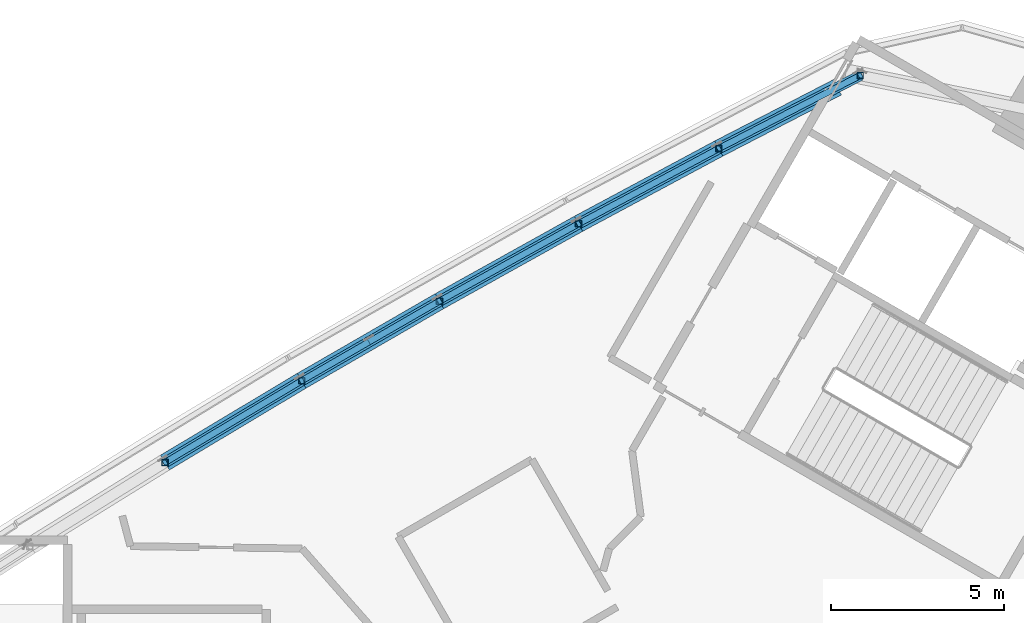
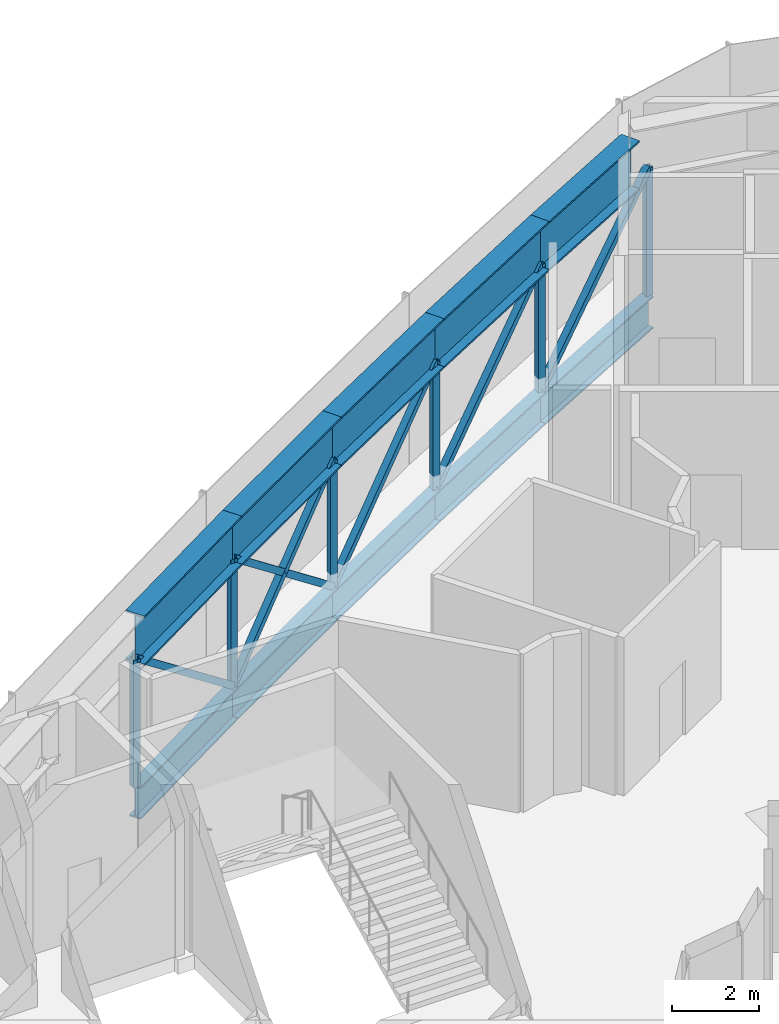
# One storey, part 7 of 21: 13 members, 10 beams.
"""IFC4 building model written with IfcOpenShell, lengths in metres."""

from ifc_helpers import new_model, si_unit, direction, frame, origin, origin_2d, place, context, subcontext, project, spatial, hollow_rectangle, i_section, extrude, material, material_profile, profile_set, type_object, element, save


model = new_model("IFC4")

# Units and contexts
model_context = context("Model", 3, precision=1e-05, world=origin(), true_north=direction((0.0, 1.0)))
body_context = subcontext(model_context, "Body", "Model", "MODEL_VIEW")
ifc_project = project(units=[si_unit("LENGTHUNIT", "METRE"), si_unit("AREAUNIT", "SQUARE_METRE"), si_unit("VOLUMEUNIT", "CUBIC_METRE"), si_unit("PLANEANGLEUNIT", "RADIAN"), si_unit("MASSUNIT", "GRAM", prefix="KILO")], contexts=[model_context])

# Site, building, storey
site_placement = place(None, origin())
site = spatial("IfcSite", under=ifc_project, at=site_placement, CompositionType="ELEMENT")
building_placement = place(site_placement, origin())
building = spatial("IfcBuilding", under=site, at=building_placement, Name="Tamra Quay Hotel Tower", CompositionType="ELEMENT")
storey_placement = place(building_placement, frame((0.0, 0.0, 301.800048828125)))
storey = spatial("IfcBuildingStorey", under=building, at=storey_placement, Name="L76", CompositionType="ELEMENT", Elevation=301.800048828125)

# Members
ifc_material = material(Name="Structural steel IS 2062 E350", Category="steel")
ifc_material_profile_1 = material_profile(ifc_material, hollow_rectangle(XDim=0.179931640625, YDim=0.179931640625, WallThickness=0.008056640625, at=origin_2d()), Name="SHS 180x180x8")
ifc_profile_set_1 = profile_set([ifc_material_profile_1], Name="Structural steel IS 2062 E350")
member_type = type_object("IfcMemberType", Name="BELT BRACE SHS 180x180x8 Z6", PredefinedType="BRACE", material=ifc_profile_set_1)
member_1_placement = place(storey_placement, frame((6.3564453125, 21.22412109375, -0.400146484375), z_axis=(0.0, 0.0, 1.0), x_axis=(1.0, 0.0, 0.0)))
element("IfcMember", 1, at=member_1_placement, inside=storey, type_object=member_type, Name="BR-L76-016", PredefinedType="BRACE", context=body_context, shape_type="SweptSolid", body=[
    extrude(hollow_rectangle(XDim=0.179931640625, YDim=0.179931640625, WallThickness=0.008056640625, at=origin_2d()), origin(), (0.0, 0.0, 1.0), 3.60009765625),
])
member_2_placement = place(storey_placement, frame((2.26318359375, 19.110107421875, -0.400146484375), z_axis=(0.70009115396, 0.361570398553, 0.615742822157), x_axis=(-0.458876435306, 0.888500094046, 0.0)))
element("IfcMember", 2, at=member_2_placement, inside=storey, type_object=member_type, Name="BR-L76-017", PredefinedType="BRACE", context=body_context, shape_type="SweptSolid", body=[
    extrude(hollow_rectangle(XDim=0.179931640625, YDim=0.179931640625, WallThickness=0.008056640625, at=origin_2d()), origin(), (0.0, 0.0, 1.0), 5.8466796875),
])
member_3_placement = place(storey_placement, frame((2.26318359375, 19.110107421875, -0.400146484375), z_axis=(0.0, 0.0, 1.0), x_axis=(1.0, 0.0, 0.0)))
element("IfcMember", 3, at=member_3_placement, inside=storey, type_object=member_type, Name="BR-L76-018", PredefinedType="BRACE", context=body_context, shape_type="SweptSolid", body=[
    extrude(hollow_rectangle(XDim=0.179931640625, YDim=0.179931640625, WallThickness=0.008056640625, at=origin_2d()), origin(), (0.0, 0.0, 1.0), 3.60009765625),
])
member_4_placement = place(storey_placement, frame((-1.796875, 16.93212890625, -0.400146484375), z_axis=(0.694373451491, 0.37248981123, 0.615708413451), x_axis=(-0.47271835588, 0.881213570035, 0.0)))
element("IfcMember", 4, at=member_4_placement, inside=storey, type_object=member_type, Name="BR-L76-019", PredefinedType="BRACE", context=body_context, shape_type="SweptSolid", body=[
    extrude(hollow_rectangle(XDim=0.179931640625, YDim=0.179931640625, WallThickness=0.008056640625, at=origin_2d()), origin(), (0.0, 0.0, 1.0), 5.84716796875),
])
member_5_placement = place(storey_placement, frame((-1.796875, 16.93212890625, -0.400146484375), z_axis=(0.0, 0.0, 1.0), x_axis=(1.0, 0.0, 0.0)))
element("IfcMember", 5, at=member_5_placement, inside=storey, type_object=member_type, Name="BR-L76-020", PredefinedType="BRACE", context=body_context, shape_type="SweptSolid", body=[
    extrude(hollow_rectangle(XDim=0.179931640625, YDim=0.179931640625, WallThickness=0.008056640625, at=origin_2d()), origin(), (0.0, 0.0, 1.0), 3.60009765625),
])
member_6_placement = place(storey_placement, frame((-5.822265625, 14.69140625, -0.400146484375), z_axis=(0.68847514185, 0.383237800333, 0.615735955951), x_axis=(-0.486371668935, 0.873752024122, 0.0)))
element("IfcMember", 6, at=member_6_placement, inside=storey, type_object=member_type, Name="BR-L76-021", PredefinedType="BRACE", context=body_context, shape_type="SweptSolid", body=[
    extrude(hollow_rectangle(XDim=0.179931640625, YDim=0.179931640625, WallThickness=0.008056640625, at=origin_2d()), origin(), (0.0, 0.0, 1.0), 5.846923828125),
])
member_7_placement = place(storey_placement, frame((-5.822265625, 14.69140625, -0.400146484375), z_axis=(0.0, 0.0, 1.0), x_axis=(1.0, 0.0, 0.0)))
element("IfcMember", 7, at=member_7_placement, inside=storey, type_object=member_type, Name="BR-L76-022", PredefinedType="BRACE", context=body_context, shape_type="SweptSolid", body=[
    extrude(hollow_rectangle(XDim=0.179931640625, YDim=0.179931640625, WallThickness=0.008056640625, at=origin_2d()), origin(), (0.0, 0.0, 1.0), 3.60009765625),
])
member_8_placement = place(storey_placement, frame((-5.822265625, 14.69140625, -0.400146484375), z_axis=(-0.682373254296, -0.394007711879, 0.615731000358), x_axis=(0.500037434811, -0.866003789707, 0.0)))
element("IfcMember", 8, at=member_8_placement, inside=storey, type_object=member_type, Name="BR-L76-023", PredefinedType="BRACE", context=body_context, shape_type="SweptSolid", body=[
    extrude(hollow_rectangle(XDim=0.179931640625, YDim=0.179931640625, WallThickness=0.008056640625, at=origin_2d()), origin(), (0.0, 0.0, 1.0), 5.846923828125),
])
for number, where, z_axis, x_axis, name in (
    (9, (-9.81201171875, 12.3876953125, -0.400146484375), (0.682373254296, 0.394007711879, 0.615731000358), (-0.500037434811, 0.866003789707, 0.0), "BR-L76-024"),
    (10, (-7.817138671875, 13.53955078125, 1.39990234375), (0.682373254296, 0.394007711879, 0.615731000358), (-0.500037434811, 0.866003789707, 0.0), "BR-L76-024B"),
):
    element("IfcMember", number, at=place(storey_placement, frame(where, z_axis=z_axis, x_axis=x_axis)), inside=storey, type_object=member_type, Name=name, PredefinedType="BRACE", context=body_context, shape_type="SweptSolid", body=[
        extrude(hollow_rectangle(XDim=0.179931640625, YDim=0.179931640625, WallThickness=0.008056640625, at=origin_2d()), origin(), (0.0, 0.0, 1.0), 2.92333984375),
    ])
member_9_placement = place(storey_placement, frame((-9.81201171875, 12.3876953125, -0.400146484375), z_axis=(0.0, 0.0, 1.0), x_axis=(1.0, 0.0, 0.0)))
element("IfcMember", 11, at=member_9_placement, inside=storey, type_object=member_type, Name="BR-L76-025", PredefinedType="BRACE", context=body_context, shape_type="SweptSolid", body=[
    extrude(hollow_rectangle(XDim=0.179931640625, YDim=0.179931640625, WallThickness=0.008056640625, at=origin_2d()), origin(), (0.0, 0.0, 1.0), 3.60009765625),
])
member_10_placement = place(storey_placement, frame((-9.81201171875, 12.3876953125, -0.400146484375), z_axis=(-0.676156998536, -0.404575134862, 0.615735879726), x_axis=(0.513451096176, -0.858118856474, 0.0)))
element("IfcMember", 12, at=member_10_placement, inside=storey, type_object=member_type, Name="BR-L76-026", PredefinedType="BRACE", context=body_context, shape_type="SweptSolid", body=[
    extrude(hollow_rectangle(XDim=0.179931640625, YDim=0.179931640625, WallThickness=0.008056640625, at=origin_2d()), origin(), (0.0, 0.0, 1.0), 5.846923828125),
])
member_11_placement = place(storey_placement, frame((-13.765380859375, 10.022216796875, -0.400146484375), z_axis=(0.0, 0.0, 1.0), x_axis=(1.0, 0.0, 0.0)))
element("IfcMember", 13, at=member_11_placement, inside=storey, type_object=member_type, Name="BR-L76-027", PredefinedType="BRACE", context=body_context, shape_type="SweptSolid", body=[
    extrude(hollow_rectangle(XDim=0.179931640625, YDim=0.179931640625, WallThickness=0.008056640625, at=origin_2d()), origin(), (0.0, 0.0, 1.0), 3.60009765625),
])

# Beams
ifc_material_profile_2 = material_profile(ifc_material, i_section(OverallWidth=0.302001953125, OverallDepth=0.909912109375, WebThickness=0.027099609375, FlangeThickness=0.0400390625, at=origin_2d()), Name="WPB 900x300x333")
ifc_profile_set_2 = profile_set([ifc_material_profile_2], Name="Structural steel IS 2062 E350")
beam_type_1 = type_object("IfcBeamType", Name="BELT CHORD WPB 900x300x333 Z6", PredefinedType="BEAM", material=ifc_profile_set_2)
beam_1_placement = place(storey_placement, frame((6.3564453125, 21.22412109375, -0.85498046875), z_axis=(-0.888500094046, -0.458876435306, 0.0), x_axis=(0.458876435306, -0.888500094046, 0.0)))
element("IfcBeam", 14, at=beam_1_placement, inside=storey, type_object=beam_type_1, Name="BM-CHB-L76-009", PredefinedType="BEAM", context=body_context, shape_type="SweptSolid", body=[
    extrude(i_section(OverallWidth=0.302001953125, OverallDepth=0.909912109375, WebThickness=0.027099609375, FlangeThickness=0.0400390625, at=origin_2d()), origin(), (0.0, 0.0, 1.0), 4.60693359375),
])
beam_2_placement = place(storey_placement, frame((2.26318359375, 19.110107421875, -0.85498046875), z_axis=(-0.881213570035, -0.47271835588, 0.0), x_axis=(0.47271835588, -0.881213570035, 0.0)))
element("IfcBeam", 15, at=beam_2_placement, inside=storey, type_object=beam_type_1, Name="BM-CHB-L76-010", PredefinedType="BEAM", context=body_context, shape_type="SweptSolid", body=[
    extrude(i_section(OverallWidth=0.302001953125, OverallDepth=0.909912109375, WebThickness=0.027099609375, FlangeThickness=0.0400390625, at=origin_2d()), origin(), (0.0, 0.0, 1.0), 4.607421875),
])
beam_3_placement = place(storey_placement, frame((-1.796875, 16.93212890625, -0.85498046875), z_axis=(-0.873752024122, -0.486371668935, 0.0), x_axis=(0.486371668935, -0.873752024122, 0.0)))
element("IfcBeam", 16, at=beam_3_placement, inside=storey, type_object=beam_type_1, Name="BM-CHB-L76-011", PredefinedType="BEAM", context=body_context, shape_type="SweptSolid", body=[
    extrude(i_section(OverallWidth=0.302001953125, OverallDepth=0.909912109375, WebThickness=0.027099609375, FlangeThickness=0.0400390625, at=origin_2d()), origin(), (0.0, 0.0, 1.0), 4.60693359375),
])
beam_4_placement = place(storey_placement, frame((-5.822265625, 14.69140625, -0.85498046875), z_axis=(-0.866003789707, -0.500037434811, 0.0), x_axis=(0.500037434811, -0.866003789707, 0.0)))
element("IfcBeam", 17, at=beam_4_placement, inside=storey, type_object=beam_type_1, Name="BM-CHB-L76-012", PredefinedType="BEAM", context=body_context, shape_type="SweptSolid", body=[
    extrude(i_section(OverallWidth=0.302001953125, OverallDepth=0.909912109375, WebThickness=0.027099609375, FlangeThickness=0.0400390625, at=origin_2d()), origin(), (0.0, 0.0, 1.0), 4.607177734375),
])
beam_5_placement = place(storey_placement, frame((-9.81201171875, 12.3876953125, -0.85498046875), z_axis=(-0.858118856474, -0.513451096176, 0.0), x_axis=(0.513451096176, -0.858118856474, 0.0)))
element("IfcBeam", 18, at=beam_5_placement, inside=storey, type_object=beam_type_1, Name="BM-CHB-L76-013", PredefinedType="BEAM", context=body_context, shape_type="SweptSolid", body=[
    extrude(i_section(OverallWidth=0.302001953125, OverallDepth=0.909912109375, WebThickness=0.027099609375, FlangeThickness=0.0400390625, at=origin_2d()), origin(), (0.0, 0.0, 1.0), 4.60693359375),
])
ifc_material_profile_3 = material_profile(ifc_material, i_section(OverallWidth=0.5, OverallDepth=1.39990234375, WebThickness=0.02490234375, FlangeThickness=0.050048828125, at=origin_2d()), Name="WPG 1400x500x25x50")
ifc_profile_set_3 = profile_set([ifc_material_profile_3], Name="Structural steel IS 2062 E350")
beam_type_2 = type_object("IfcBeamType", Name="BELT TOP CHORD WPG 1400x500x25x50 Z6", PredefinedType="USERDEFINED", material=ifc_profile_set_3)
beam_6_placement = place(storey_placement, frame((5.69384765625, 20.882080078125, 3.75), z_axis=(-0.888482626621, -0.458910255054, 0.0), x_axis=(0.458910255054, -0.888482626621, 0.0)))
element("IfcBeam", 19, at=beam_6_placement, inside=storey, type_object=beam_type_2, Name="BM-CHT-L76-009", ObjectType="TRANSFER GIRDER", PredefinedType="USERDEFINED", context=body_context, shape_type="SweptSolid", body=[
    extrude(i_section(OverallWidth=0.5, OverallDepth=1.39990234375, WebThickness=0.02490234375, FlangeThickness=0.050048828125, at=origin_2d()), origin(), (0.0, 0.0, 1.0), 3.861328125),
])
beam_7_placement = place(storey_placement, frame((2.26318359375, 19.110107421875, 3.75), z_axis=(-0.881213570035, -0.47271835588, 0.0), x_axis=(0.47271835588, -0.881213570035, 0.0)))
element("IfcBeam", 20, at=beam_7_placement, inside=storey, type_object=beam_type_2, Name="BM-CHT-L76-010", ObjectType="TRANSFER GIRDER", PredefinedType="USERDEFINED", context=body_context, shape_type="SweptSolid", body=[
    extrude(i_section(OverallWidth=0.5, OverallDepth=1.39990234375, WebThickness=0.02490234375, FlangeThickness=0.050048828125, at=origin_2d()), origin(), (0.0, 0.0, 1.0), 4.607421875),
])
beam_8_placement = place(storey_placement, frame((-1.796875, 16.93212890625, 3.75), z_axis=(-0.873752024122, -0.486371668935, 0.0), x_axis=(0.486371668935, -0.873752024122, 0.0)))
element("IfcBeam", 21, at=beam_8_placement, inside=storey, type_object=beam_type_2, Name="BM-CHT-L76-011", ObjectType="TRANSFER GIRDER", PredefinedType="USERDEFINED", context=body_context, shape_type="SweptSolid", body=[
    extrude(i_section(OverallWidth=0.5, OverallDepth=1.39990234375, WebThickness=0.02490234375, FlangeThickness=0.050048828125, at=origin_2d()), origin(), (0.0, 0.0, 1.0), 4.60693359375),
])
beam_9_placement = place(storey_placement, frame((-5.822265625, 14.69140625, 3.75), z_axis=(-0.866003789707, -0.500037434811, 0.0), x_axis=(0.500037434811, -0.866003789707, 0.0)))
element("IfcBeam", 22, at=beam_9_placement, inside=storey, type_object=beam_type_2, Name="BM-CHT-L76-012", ObjectType="TRANSFER GIRDER", PredefinedType="USERDEFINED", context=body_context, shape_type="SweptSolid", body=[
    extrude(i_section(OverallWidth=0.5, OverallDepth=1.39990234375, WebThickness=0.02490234375, FlangeThickness=0.050048828125, at=origin_2d()), origin(), (0.0, 0.0, 1.0), 4.607177734375),
])
beam_10_placement = place(storey_placement, frame((-9.81201171875, 12.3876953125, 3.75), z_axis=(-0.858118856474, -0.513451096176, 0.0), x_axis=(0.513451096176, -0.858118856474, 0.0)))
element("IfcBeam", 23, at=beam_10_placement, inside=storey, type_object=beam_type_2, Name="BM-CHT-L76-013", ObjectType="TRANSFER GIRDER", PredefinedType="USERDEFINED", context=body_context, shape_type="SweptSolid", body=[
    extrude(i_section(OverallWidth=0.5, OverallDepth=1.39990234375, WebThickness=0.02490234375, FlangeThickness=0.050048828125, at=origin_2d()), origin(), (0.0, 0.0, 1.0), 4.60693359375),
])

save(model, "model.ifc")
